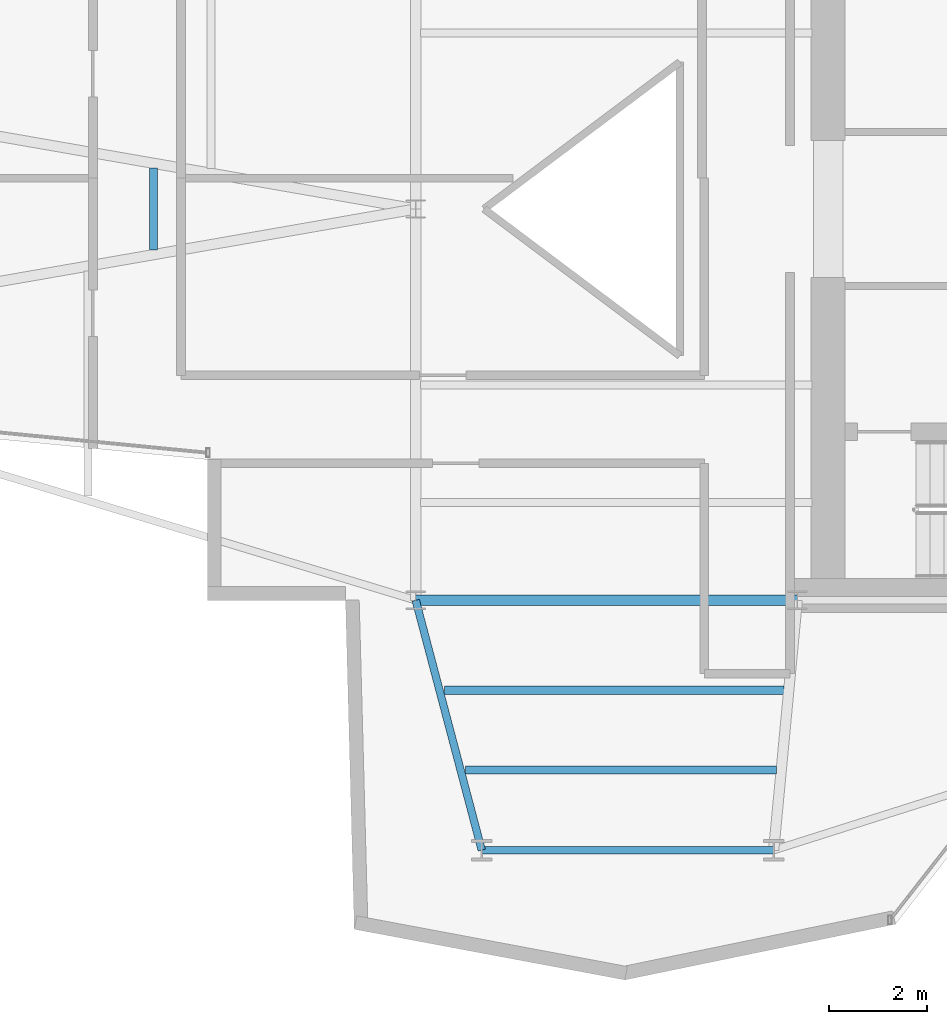
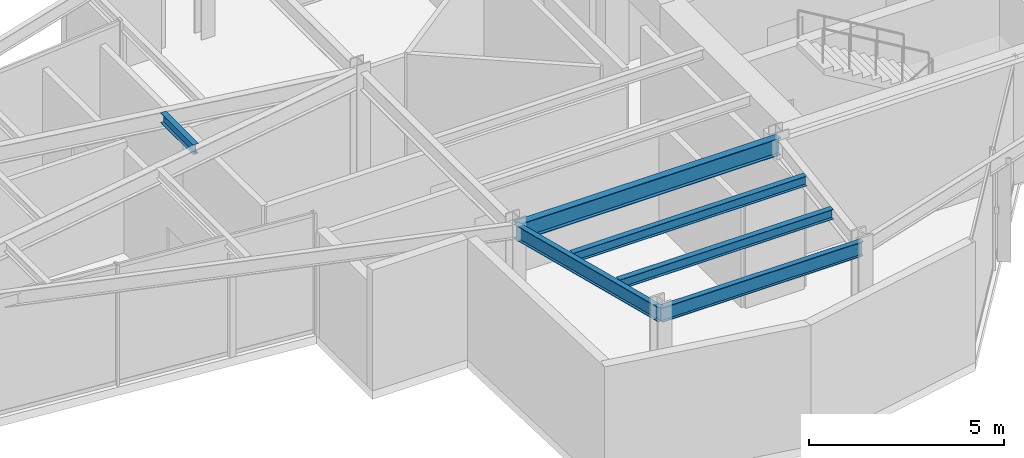
# One storey, part 5 of 21: 6 beams.
"""IFC4 building model written with IfcOpenShell, lengths in metres."""

from ifc_helpers import new_model, si_unit, direction, frame, origin, origin_2d, place, context, subcontext, project, spatial, i_section, extrude, material, material_profile, profile_set, type_object, element, save


model = new_model("IFC4")

# Units and contexts
model_context = context("Model", 3, precision=1e-05, world=origin(), true_north=direction((0.0, 1.0)))
body_context = subcontext(model_context, "Body", "Model", "MODEL_VIEW")
ifc_project = project(units=[si_unit("LENGTHUNIT", "METRE"), si_unit("AREAUNIT", "SQUARE_METRE"), si_unit("VOLUMEUNIT", "CUBIC_METRE"), si_unit("PLANEANGLEUNIT", "RADIAN"), si_unit("MASSUNIT", "GRAM", prefix="KILO")], contexts=[model_context])

# Site, building, storey
site_placement = place(None, origin())
site = spatial("IfcSite", under=ifc_project, at=site_placement, CompositionType="ELEMENT")
building_placement = place(site_placement, origin())
building = spatial("IfcBuilding", under=site, at=building_placement, Name="Veymaron Broadcast Tower", CompositionType="ELEMENT")
storey_placement = place(building_placement, frame((0.0, 0.0, 244.5)))
storey = spatial("IfcBuildingStorey", under=building, at=storey_placement, Name="L57", CompositionType="ELEMENT", Elevation=244.5)

# Beams
ifc_material = material(Name="Structural steel ASTM A992 Gr 50", Category="steel")
ifc_material_profile_1 = material_profile(ifc_material, i_section(OverallWidth=0.2099609375, OverallDepth=0.537109375, WebThickness=0.010986328125, FlangeThickness=0.017333984375, at=origin_2d()), Name="W530X101")
ifc_profile_set_1 = profile_set([ifc_material_profile_1], Name="Structural steel ASTM A992 Gr 50")
beam_type_1 = type_object("IfcBeamType", Name="BM-FG3", PredefinedType="BEAM", material=ifc_profile_set_1)
beam_1_placement = place(storey_placement, frame((31.199951171875, 16.0, 3.521484375), z_axis=(1.0, 0.0, 0.0), x_axis=(0.0, 1.0, 0.0)))
element("IfcBeam", 1, at=beam_1_placement, inside=storey, type_object=beam_type_1, Name="L57 primary structural floor girder", PredefinedType="BEAM", context=body_context, shape_type="SweptSolid", body=[
    extrude(i_section(OverallWidth=0.2099609375, OverallDepth=0.537109375, WebThickness=0.010986328125, FlangeThickness=0.017333984375, at=origin_2d()), origin(), (0.0, 0.0, 1.0), 7.800048828125),
])
ifc_material_profile_2 = material_profile(ifc_material, i_section(OverallWidth=0.1650390625, OverallDepth=0.31005859375, WebThickness=0.005859375, FlangeThickness=0.009765625, at=origin_2d()), Name="W310X39")
ifc_profile_set_2 = profile_set([ifc_material_profile_2], Name="Structural steel ASTM A992 Gr 50")
beam_type_2 = type_object("IfcBeamType", Name="BM-JS3", PredefinedType="JOIST", material=ifc_profile_set_2)
beam_2_placement = place(storey_placement, frame((25.840576171875, 23.166259765625, 3.635009765625), z_axis=(0.0, 1.0, 0.0), x_axis=(-1.0, 0.0, 0.0)))
element("IfcBeam", 2, at=beam_2_placement, inside=storey, type_object=beam_type_2, Name="L57 Arm-A secondary joist 2M", PredefinedType="JOIST", context=body_context, shape_type="SweptSolid", body=[
    extrude(i_section(OverallWidth=0.1650390625, OverallDepth=0.31005859375, WebThickness=0.005859375, FlangeThickness=0.009765625, at=origin_2d()), origin(), (0.0, 0.0, 1.0), 1.66748046875),
])
beam_3_placement = place(storey_placement, frame((31.785888671875, 14.1611328125, 3.635009765625), z_axis=(1.0, 0.0, 0.0), x_axis=(0.0, 1.0, 0.0)))
element("IfcBeam", 3, at=beam_3_placement, inside=storey, type_object=beam_type_2, Name="L57 Arm-C secondary joist 1", PredefinedType="JOIST", context=body_context, shape_type="SweptSolid", body=[
    extrude(i_section(OverallWidth=0.1650390625, OverallDepth=0.31005859375, WebThickness=0.005859375, FlangeThickness=0.009765625, at=origin_2d()), origin(), (0.0, 0.0, 1.0), 6.940673828125),
])
beam_4_placement = place(storey_placement, frame((32.2177734375, 12.526611328125, 3.635009765625), z_axis=(1.0, 0.0, 0.0), x_axis=(0.0, 1.0, 0.0)))
element("IfcBeam", 4, at=beam_4_placement, inside=storey, type_object=beam_type_2, Name="L57 Arm-C secondary joist 2", PredefinedType="JOIST", context=body_context, shape_type="SweptSolid", body=[
    extrude(i_section(OverallWidth=0.1650390625, OverallDepth=0.31005859375, WebThickness=0.005859375, FlangeThickness=0.009765625, at=origin_2d()), origin(), (0.0, 0.0, 1.0), 6.3544921875),
])
ifc_material_profile_3 = material_profile(ifc_material, i_section(OverallWidth=0.154052734375, OverallDepth=0.458984375, WebThickness=0.009033203125, FlangeThickness=0.015380859375, at=origin_2d()), Name="W460X68")
ifc_profile_set_3 = profile_set([ifc_material_profile_3], Name="Structural steel ASTM A992 Gr 50")
beam_type_3 = type_object("IfcBeamType", Name="BM-SP2", PredefinedType="SPANDREL", material=ifc_profile_set_3)
beam_5_placement = place(storey_placement, frame((31.199951171875, 16.0, 3.560546875), z_axis=(0.255453064719, -0.96682145804, 0.0), x_axis=(0.96682145804, 0.255453064719, 0.0)))
element("IfcBeam", 5, at=beam_5_placement, inside=storey, type_object=beam_type_3, Name="L57 primary structural floor girder", PredefinedType="SPANDREL", context=body_context, shape_type="SweptSolid", body=[
    extrude(i_section(OverallWidth=0.154052734375, OverallDepth=0.458984375, WebThickness=0.009033203125, FlangeThickness=0.015380859375, at=origin_2d()), origin(), (0.0, 0.0, 1.0), 5.283203125),
])
beam_6_placement = place(storey_placement, frame((32.549560546875, 10.89208984375, 3.560546875), z_axis=(1.0, 0.0, 0.0), x_axis=(0.0, 1.0, 0.0)))
element("IfcBeam", 6, at=beam_6_placement, inside=storey, type_object=beam_type_3, Name="L57 primary structural floor girder", PredefinedType="SPANDREL", context=body_context, shape_type="SweptSolid", body=[
    extrude(i_section(OverallWidth=0.154052734375, OverallDepth=0.458984375, WebThickness=0.009033203125, FlangeThickness=0.015380859375, at=origin_2d()), origin(), (0.0, 0.0, 1.0), 5.968505859375),
])

save(model, "model.ifc")
